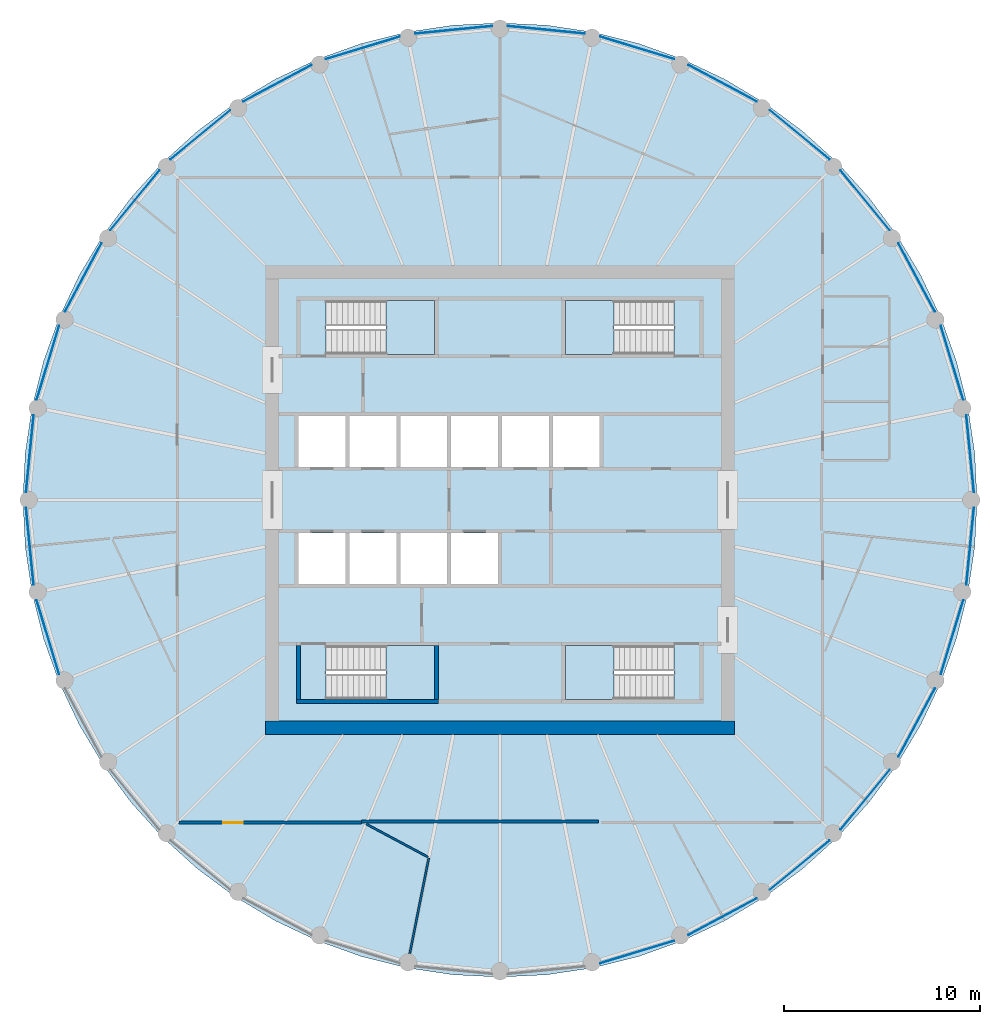
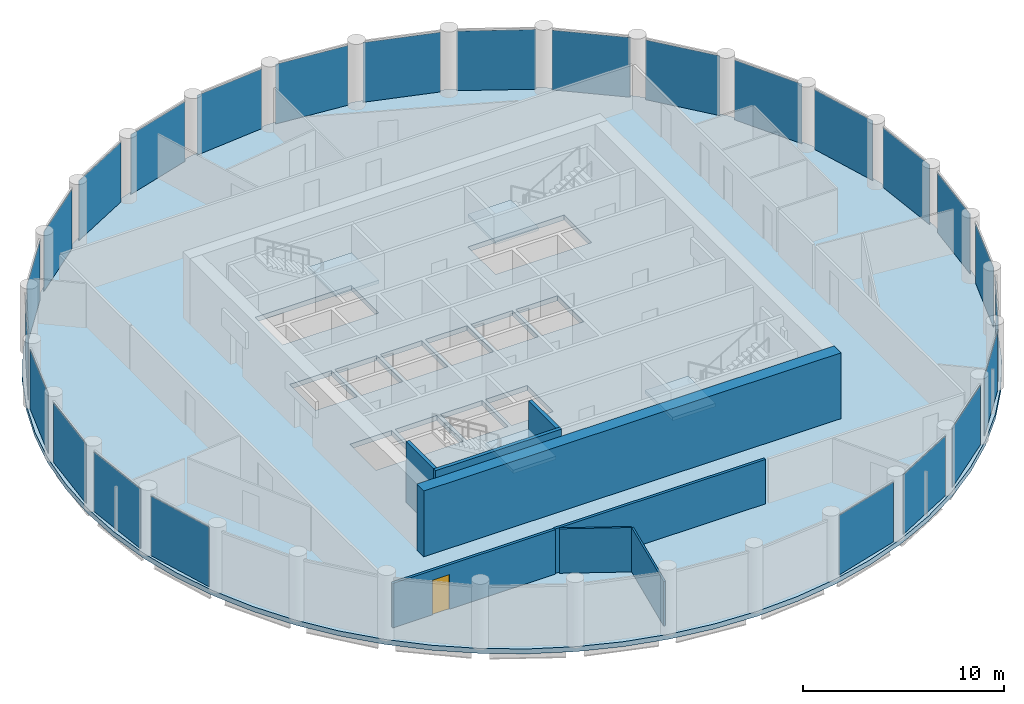
# One storey, part 3 of 7: 25 plates, 8 walls, 5 slabs, 1 door, 1 opening, 29 elements without a shape of their own.
"""IFC4 building model written with IfcOpenShell, lengths in metres."""

from ifc_helpers import new_model, si_unit, direction, frame, frame_2d, origin, origin_2d, place, context, subcontext, project, spatial, polyline, rectangle, outline, extrude, material, layer, layer_set, type_object, element, fill, aggregate, save


model = new_model("IFC4")

# Units and contexts
model_context = context("Model", 3, precision=1e-05, world=origin(), true_north=direction((0.0, 1.0)))
body_context = subcontext(model_context, "Body", "Model", "MODEL_VIEW")
ifc_project = project(units=[si_unit("LENGTHUNIT", "METRE"), si_unit("AREAUNIT", "SQUARE_METRE"), si_unit("VOLUMEUNIT", "CUBIC_METRE"), si_unit("PLANEANGLEUNIT", "RADIAN"), si_unit("MASSUNIT", "GRAM", prefix="KILO")], contexts=[model_context])

# Site, building, storey
site_placement = place(None, origin())
site = spatial("IfcSite", under=ifc_project, at=site_placement, CompositionType="ELEMENT")
building_placement = place(site_placement, origin())
building = spatial("IfcBuilding", under=site, at=building_placement, Name="Corvane Civic Tower", CompositionType="ELEMENT")
storey_placement = place(building_placement, frame((0.0, 0.0, 283.0)))
storey = spatial("IfcBuildingStorey", under=building, at=storey_placement, Name="L67", CompositionType="ELEMENT", Elevation=283.0)

# Slab
ifc_material_1 = material(Name="Concrete C40/50", Category="concrete")
ifc_layer_1 = layer(ifc_material_1, 0.300048828125)
ifc_layer_set_1 = layer_set([ifc_layer_1], Name="Concrete C40/50")
slab_type_1 = type_object("IfcSlabType", Name="FLOOR SLAB 300", PredefinedType="FLOOR", material=ifc_layer_set_1)
slab_1_placement = place(storey_placement, frame((0.0, 0.0, -0.300048828125)))
element("IfcSlab", 1, at=slab_1_placement, inside=storey, type_object=slab_type_1, Name="SLB-L67", PredefinedType="FLOOR", context=body_context, shape_type="SweptSolid", body=[
    extrude(outline(polyline([(0.0, 24.39990234375), (-2.3916015625, 24.282470703125), (-4.76025390625, 23.93115234375), (-7.0830078125, 23.349365234375), (-9.33740234375, 22.542724609375), (-11.502197265625, 21.518798828125), (-13.555908203125, 20.287841796875), (-15.479248046875, 18.861572265625), (-17.25341796875, 17.25341796875), (-18.861572265625, 15.479248046875), (-20.287841796875, 13.555908203125), (-21.518798828125, 11.502197265625), (-22.542724609375, 9.33740234375), (-23.349365234375, 7.0830078125), (-23.93115234375, 4.76025390625), (-24.282470703125, 2.3916015625), (-24.39990234375, 0.0), (-24.282470703125, -2.3916015625), (-23.93115234375, -4.76025390625), (-23.349365234375, -7.0830078125), (-22.542724609375, -9.33740234375), (-21.518798828125, -11.502197265625), (-20.287841796875, -13.555908203125), (-18.861572265625, -15.479248046875), (-17.25341796875, -17.25341796875), (-15.479248046875, -18.861572265625), (-13.555908203125, -20.287841796875), (-11.502197265625, -21.518798828125), (-9.33740234375, -22.542724609375), (-7.0830078125, -23.349365234375), (-4.76025390625, -23.93115234375), (-2.3916015625, -24.282470703125), (0.0, -24.39990234375), (2.3916015625, -24.282470703125), (4.76025390625, -23.93115234375), (7.0830078125, -23.349365234375), (9.33740234375, -22.542724609375), (11.502197265625, -21.518798828125), (13.555908203125, -20.287841796875), (15.479248046875, -18.861572265625), (17.25341796875, -17.25341796875), (18.861572265625, -15.479248046875), (20.287841796875, -13.555908203125), (21.518798828125, -11.502197265625), (22.542724609375, -9.33740234375), (23.349365234375, -7.0830078125), (23.93115234375, -4.76025390625), (24.282470703125, -2.3916015625), (24.39990234375, 0.0), (24.282470703125, 2.3916015625), (23.93115234375, 4.76025390625), (23.349365234375, 7.0830078125), (22.542724609375, 9.33740234375), (21.518798828125, 11.502197265625), (20.287841796875, 13.555908203125), (18.861572265625, 15.479248046875), (17.25341796875, 17.25341796875), (15.479248046875, 18.861572265625), (13.555908203125, 20.287841796875), (11.502197265625, 21.518798828125), (9.33740234375, 22.542724609375), (7.0830078125, 23.349365234375), (4.76025390625, 23.93115234375), (2.3916015625, 24.282470703125), (0.0, 24.39990234375)]), holes=[polyline([(-10.300048828125, 4.300048828125), (-7.89990234375, 4.300048828125), (-7.89990234375, 1.699951171875), (-10.300048828125, 1.699951171875), (-10.300048828125, 4.300048828125)]), polyline([(-7.699951171875, 4.300048828125), (-5.300048828125, 4.300048828125), (-5.300048828125, 1.699951171875), (-7.699951171875, 1.699951171875), (-7.699951171875, 4.300048828125)]), polyline([(-5.10009765625, 4.300048828125), (-2.699951171875, 4.300048828125), (-2.699951171875, 1.699951171875), (-5.10009765625, 1.699951171875), (-5.10009765625, 4.300048828125)]), polyline([(-0.10009765625, 1.699951171875), (-2.5, 1.699951171875), (-2.5, 4.300048828125), (-0.10009765625, 4.300048828125), (-0.10009765625, 1.699951171875)]), polyline([(0.10009765625, 4.300048828125), (2.5, 4.300048828125), (2.5, 1.699951171875), (0.10009765625, 1.699951171875), (0.10009765625, 4.300048828125)]), polyline([(2.699951171875, 4.300048828125), (5.10009765625, 4.300048828125), (5.10009765625, 1.699951171875), (2.699951171875, 1.699951171875), (2.699951171875, 4.300048828125)]), polyline([(-10.300048828125, -4.300048828125), (-10.300048828125, -1.699951171875), (-7.89990234375, -1.699951171875), (-7.89990234375, -4.300048828125), (-10.300048828125, -4.300048828125)]), polyline([(-7.699951171875, -4.300048828125), (-7.699951171875, -1.699951171875), (-5.300048828125, -1.699951171875), (-5.300048828125, -4.300048828125), (-7.699951171875, -4.300048828125)]), polyline([(-5.10009765625, -4.300048828125), (-5.10009765625, -1.699951171875), (-2.699951171875, -1.699951171875), (-2.699951171875, -4.300048828125), (-5.10009765625, -4.300048828125)]), polyline([(-0.10009765625, -1.699951171875), (-0.10009765625, -4.300048828125), (-2.5, -4.300048828125), (-2.5, -1.699951171875), (-0.10009765625, -1.699951171875)]), polyline([(8.889892578125, 10.199951171875), (8.889892578125, 7.449951171875), (3.35009765625, 7.449951171875), (3.35009765625, 10.199951171875), (8.889892578125, 10.199951171875)]), polyline([(-8.889892578125, 7.449951171875), (-8.889892578125, 10.199951171875), (-3.35009765625, 10.199951171875), (-3.35009765625, 7.449951171875), (-8.889892578125, 7.449951171875)]), polyline([(8.889892578125, -7.449951171875), (8.889892578125, -10.199951171875), (3.35009765625, -10.199951171875), (3.35009765625, -7.449951171875), (8.889892578125, -7.449951171875)]), polyline([(-8.889892578125, -10.199951171875), (-8.889892578125, -7.449951171875), (-3.35009765625, -7.449951171875), (-3.35009765625, -10.199951171875), (-8.889892578125, -10.199951171875)])]), origin(), (0.0, 0.0, 1.0), 0.300048828125),
])

# Stair, slab
ifc_material_2 = material(Name="Concrete C40/50", Category="concrete")
stair_type = type_object("IfcStairType", Name="ST-STAIR-HALFTURN", PredefinedType="HALF_TURN_STAIR", material=ifc_material_2)
stair_1_placement = place(storey_placement, origin())
stair_1 = element("IfcStair", 2, at=stair_1_placement, inside=storey, type_object=stair_type, Name="L67 Exit stair ST1", PredefinedType="HALF_TURN_STAIR")
ifc_material_3 = material(Name="Concrete C40/50", Category="concrete")
ifc_layer_2 = layer(ifc_material_3, 0.199951171875)
ifc_layer_set_2 = layer_set([ifc_layer_2], Name="Concrete C40/50")
slab_type_2 = type_object("IfcSlabType", Name="ST-LANDING-RC", PredefinedType="LANDING", material=ifc_layer_set_2)
slab_2_placement = place(storey_placement, frame((0.0, 0.0, 1.800048828125)))
slab_2 = element("IfcSlab", 3, at=slab_2_placement, type_object=slab_type_2, Name="ST1 landing 1", PredefinedType="LANDING", context=body_context, shape_type="SweptSolid", body=[
    extrude(outline(polyline([(5.820068359375, 10.199951171875), (3.35009765625, 10.199951171875), (3.35009765625, 7.449951171875), (5.820068359375, 7.449951171875), (5.820068359375, 10.199951171875)])), origin(), (0.0, 0.0, 1.0), 0.199951171875),
])
aggregate(stair_1, [slab_2])

stair_2_placement = place(storey_placement, origin())
stair_2 = element("IfcStair", 4, at=stair_2_placement, inside=storey, type_object=stair_type, Name="L67 Exit stair ST2", PredefinedType="HALF_TURN_STAIR")
slab_3_placement = place(storey_placement, frame((0.0, 0.0, 1.800048828125)))
slab_3 = element("IfcSlab", 5, at=slab_3_placement, type_object=slab_type_2, Name="ST2 landing 1", PredefinedType="LANDING", context=body_context, shape_type="SweptSolid", body=[
    extrude(outline(polyline([(5.820068359375, -7.449951171875), (3.35009765625, -7.449951171875), (3.35009765625, -10.199951171875), (5.820068359375, -10.199951171875), (5.820068359375, -7.449951171875)])), origin(), (0.0, 0.0, 1.0), 0.199951171875),
])
aggregate(stair_2, [slab_3])

stair_3_placement = place(storey_placement, origin())
stair_3 = element("IfcStair", 6, at=stair_3_placement, inside=storey, type_object=stair_type, Name="L67 Exit stair ST3", PredefinedType="HALF_TURN_STAIR")
slab_4_placement = place(storey_placement, frame((0.0, 0.0, 1.800048828125)))
slab_4 = element("IfcSlab", 7, at=slab_4_placement, type_object=slab_type_2, Name="ST3 landing 1", PredefinedType="LANDING", context=body_context, shape_type="SweptSolid", body=[
    extrude(outline(polyline([(-5.820068359375, -10.199951171875), (-3.35009765625, -10.199951171875), (-3.35009765625, -7.449951171875), (-5.820068359375, -7.449951171875), (-5.820068359375, -10.199951171875)])), origin(), (0.0, 0.0, 1.0), 0.199951171875),
])
aggregate(stair_3, [slab_4])

stair_4_placement = place(storey_placement, origin())
stair_4 = element("IfcStair", 8, at=stair_4_placement, inside=storey, type_object=stair_type, Name="L67 Exit stair ST4", PredefinedType="HALF_TURN_STAIR")
slab_5_placement = place(storey_placement, frame((0.0, 0.0, 1.800048828125)))
slab_5 = element("IfcSlab", 9, at=slab_5_placement, type_object=slab_type_2, Name="ST4 landing 1", PredefinedType="LANDING", context=body_context, shape_type="SweptSolid", body=[
    extrude(outline(polyline([(-5.820068359375, 7.449951171875), (-3.35009765625, 7.449951171875), (-3.35009765625, 10.199951171875), (-5.820068359375, 10.199951171875), (-5.820068359375, 7.449951171875)])), origin(), (0.0, 0.0, 1.0), 0.199951171875),
])
aggregate(stair_4, [slab_5])

# Curtain wall, plate
ifc_material_4 = material(Name="Anodised aluminium bronze", Category="aluminium")
curtain_wall_type = type_object("IfcCurtainWallType", Name="TOWER CW-T3 STICK CURTAIN WALL", PredefinedType="NOTDEFINED", material=ifc_material_4)
curtain_wall_1_placement = place(storey_placement, origin())
curtain_wall_1 = element("IfcCurtainWall", 10, at=curtain_wall_1_placement, inside=storey, type_object=curtain_wall_type, Name="Curtain wall CW-T3 L67 bay 01", PredefinedType="NOTDEFINED")
ifc_material_5 = material(Name="Tinted glass", Category="glass")
ifc_layer_3 = layer(ifc_material_5, 0.028076171875)
ifc_layer_set_3 = layer_set([ifc_layer_3], Name="Tinted glass")
plate_type = type_object("IfcPlateType", Name="TOWER CW-T3 PANEL IGU28", PredefinedType="CURTAIN_PANEL", material=ifc_layer_set_3)
plate_1_placement = place(storey_placement, frame((2.368408203125, 24.046875, 0.0), z_axis=(0.0, 0.0, 1.0), x_axis=(0.99518437747, -0.098020685775, 0.0)))
plate_1 = element("IfcPlate", 11, at=plate_1_placement, type_object=plate_type, Name="Glass panel CW-T3 L67 01.1", PredefinedType="CURTAIN_PANEL", context=body_context, shape_type="SweptSolid", body=[
    extrude(rectangle(XDim=3.958740234375, YDim=0.028076171875, at=origin_2d()), origin(), (0.0, 0.0, 1.0), 3.6298828125),
])
aggregate(curtain_wall_1, [plate_1])

curtain_wall_2_placement = place(storey_placement, origin())
curtain_wall_2 = element("IfcCurtainWall", 12, at=curtain_wall_2_placement, inside=storey, type_object=curtain_wall_type, Name="Curtain wall CW-T3 L67 bay 02", PredefinedType="NOTDEFINED")
plate_2_placement = place(storey_placement, frame((7.01416015625, 23.12255859375, 0.0), z_axis=(0.0, 0.0, 1.0), x_axis=(0.956943694519, -0.290273604586, 0.0)))
plate_2 = element("IfcPlate", 13, at=plate_2_placement, type_object=plate_type, Name="Glass panel CW-T3 L67 02.1", PredefinedType="CURTAIN_PANEL", context=body_context, shape_type="SweptSolid", body=[
    extrude(rectangle(XDim=3.958984375, YDim=0.028076171875, at=origin_2d()), origin(), (0.0, 0.0, 1.0), 3.6298828125),
])
aggregate(curtain_wall_2, [plate_2])

curtain_wall_3_placement = place(storey_placement, origin())
curtain_wall_3 = element("IfcCurtainWall", 14, at=curtain_wall_3_placement, inside=storey, type_object=curtain_wall_type, Name="Curtain wall CW-T3 L67 bay 03", PredefinedType="NOTDEFINED")
plate_3_placement = place(storey_placement, frame((11.390380859375, 21.31005859375, 0.0), z_axis=(0.0, 0.0, 1.0), x_axis=(0.881908138655, -0.471421292448, 0.0)))
plate_3 = element("IfcPlate", 15, at=plate_3_placement, type_object=plate_type, Name="Glass panel CW-T3 L67 03.1", PredefinedType="CURTAIN_PANEL", context=body_context, shape_type="SweptSolid", body=[
    extrude(rectangle(XDim=3.958740234375, YDim=0.028076171875, at=origin_2d()), origin(), (0.0, 0.0, 1.0), 3.6298828125),
])
aggregate(curtain_wall_3, [plate_3])

curtain_wall_4_placement = place(storey_placement, origin())
curtain_wall_4 = element("IfcCurtainWall", 16, at=curtain_wall_4_placement, inside=storey, type_object=curtain_wall_type, Name="Curtain wall CW-T3 L67 bay 04", PredefinedType="NOTDEFINED")
plate_4_placement = place(storey_placement, frame((15.328857421875, 18.67822265625, 0.0), z_axis=(0.0, 0.0, 1.0), x_axis=(0.773001130565, -0.634404643855, 0.0)))
plate_4 = element("IfcPlate", 17, at=plate_4_placement, type_object=plate_type, Name="Glass panel CW-T3 L67 04.1", PredefinedType="CURTAIN_PANEL", context=body_context, shape_type="SweptSolid", body=[
    extrude(rectangle(XDim=3.958740234375, YDim=0.028076171875, at=origin_2d()), origin(), (0.0, 0.0, 1.0), 3.6298828125),
])
aggregate(curtain_wall_4, [plate_4])

curtain_wall_5_placement = place(storey_placement, origin())
curtain_wall_5 = element("IfcCurtainWall", 18, at=curtain_wall_5_placement, inside=storey, type_object=curtain_wall_type, Name="Curtain wall CW-T3 L67 bay 05", PredefinedType="NOTDEFINED")
plate_5_placement = place(storey_placement, frame((18.67822265625, 15.328857421875, 0.0), z_axis=(0.0, 0.0, 1.0), x_axis=(0.634404643855, -0.773001130565, 0.0)))
plate_5 = element("IfcPlate", 19, at=plate_5_placement, type_object=plate_type, Name="Glass panel CW-T3 L67 05.1", PredefinedType="CURTAIN_PANEL", context=body_context, shape_type="SweptSolid", body=[
    extrude(rectangle(XDim=3.958740234375, YDim=0.028076171875, at=origin_2d()), origin(), (0.0, 0.0, 1.0), 3.6298828125),
])
aggregate(curtain_wall_5, [plate_5])

curtain_wall_6_placement = place(storey_placement, origin())
curtain_wall_6 = element("IfcCurtainWall", 20, at=curtain_wall_6_placement, inside=storey, type_object=curtain_wall_type, Name="Curtain wall CW-T3 L67 bay 06", PredefinedType="NOTDEFINED")
plate_6_placement = place(storey_placement, frame((21.31005859375, 11.390380859375, 0.0), z_axis=(0.0, 0.0, 1.0), x_axis=(0.471421292448, -0.881908138655, 0.0)))
plate_6 = element("IfcPlate", 21, at=plate_6_placement, type_object=plate_type, Name="Glass panel CW-T3 L67 06.1", PredefinedType="CURTAIN_PANEL", context=body_context, shape_type="SweptSolid", body=[
    extrude(rectangle(XDim=3.958740234375, YDim=0.028076171875, at=origin_2d()), origin(), (0.0, 0.0, 1.0), 3.6298828125),
])
aggregate(curtain_wall_6, [plate_6])

curtain_wall_7_placement = place(storey_placement, origin())
curtain_wall_7 = element("IfcCurtainWall", 22, at=curtain_wall_7_placement, inside=storey, type_object=curtain_wall_type, Name="Curtain wall CW-T3 L67 bay 07", PredefinedType="NOTDEFINED")
plate_7_placement = place(storey_placement, frame((23.12255859375, 7.01416015625, 0.0), z_axis=(0.0, 0.0, 1.0), x_axis=(0.290273604586, -0.956943694519, 0.0)))
plate_7 = element("IfcPlate", 23, at=plate_7_placement, type_object=plate_type, Name="Glass panel CW-T3 L67 07.1", PredefinedType="CURTAIN_PANEL", context=body_context, shape_type="SweptSolid", body=[
    extrude(rectangle(XDim=3.958984375, YDim=0.028076171875, at=origin_2d()), origin(), (0.0, 0.0, 1.0), 3.6298828125),
])
aggregate(curtain_wall_7, [plate_7])

curtain_wall_8_placement = place(storey_placement, origin())
curtain_wall_8 = element("IfcCurtainWall", 24, at=curtain_wall_8_placement, inside=storey, type_object=curtain_wall_type, Name="Curtain wall CW-T3 L67 bay 08", PredefinedType="NOTDEFINED")
plate_8_placement = place(storey_placement, frame((24.046875, 2.368408203125, 0.0), z_axis=(0.0, 0.0, 1.0), x_axis=(0.098020685775, -0.99518437747, 0.0)))
plate_8 = element("IfcPlate", 25, at=plate_8_placement, type_object=plate_type, Name="Glass panel CW-T3 L67 08.1", PredefinedType="CURTAIN_PANEL", context=body_context, shape_type="SweptSolid", body=[
    extrude(rectangle(XDim=3.958740234375, YDim=0.028076171875, at=origin_2d()), origin(), (0.0, 0.0, 1.0), 3.6298828125),
])
aggregate(curtain_wall_8, [plate_8])

curtain_wall_9_placement = place(storey_placement, origin())
curtain_wall_9 = element("IfcCurtainWall", 26, at=curtain_wall_9_placement, inside=storey, type_object=curtain_wall_type, Name="Curtain wall CW-T3 L67 bay 09", PredefinedType="NOTDEFINED")
plate_9_placement = place(storey_placement, frame((24.046875, -2.368408203125, 0.0), z_axis=(0.0, 0.0, 1.0), x_axis=(-0.098020685775, -0.99518437747, 0.0)))
plate_9 = element("IfcPlate", 27, at=plate_9_placement, type_object=plate_type, Name="Glass panel CW-T3 L67 09.1", PredefinedType="CURTAIN_PANEL", context=body_context, shape_type="SweptSolid", body=[
    extrude(rectangle(XDim=3.958740234375, YDim=0.028076171875, at=origin_2d()), origin(), (0.0, 0.0, 1.0), 3.6298828125),
])
aggregate(curtain_wall_9, [plate_9])

curtain_wall_10_placement = place(storey_placement, origin())
curtain_wall_10 = element("IfcCurtainWall", 28, at=curtain_wall_10_placement, inside=storey, type_object=curtain_wall_type, Name="Curtain wall CW-T3 L67 bay 10", PredefinedType="NOTDEFINED")
plate_10_placement = place(storey_placement, frame((23.12255859375, -7.01416015625, 0.0), z_axis=(0.0, 0.0, 1.0), x_axis=(-0.290273604586, -0.956943694519, 0.0)))
plate_10 = element("IfcPlate", 29, at=plate_10_placement, type_object=plate_type, Name="Glass panel CW-T3 L67 10.1", PredefinedType="CURTAIN_PANEL", context=body_context, shape_type="SweptSolid", body=[
    extrude(rectangle(XDim=3.958984375, YDim=0.028076171875, at=origin_2d()), origin(), (0.0, 0.0, 1.0), 3.6298828125),
])
aggregate(curtain_wall_10, [plate_10])

curtain_wall_11_placement = place(storey_placement, origin())
curtain_wall_11 = element("IfcCurtainWall", 30, at=curtain_wall_11_placement, inside=storey, type_object=curtain_wall_type, Name="Curtain wall CW-T3 L67 bay 11", PredefinedType="NOTDEFINED")
plate_11_placement = place(storey_placement, frame((21.31005859375, -11.390380859375, 0.0), z_axis=(0.0, 0.0, 1.0), x_axis=(-0.471421292448, -0.881908138655, 0.0)))
plate_11 = element("IfcPlate", 31, at=plate_11_placement, type_object=plate_type, Name="Glass panel CW-T3 L67 11.1", PredefinedType="CURTAIN_PANEL", context=body_context, shape_type="SweptSolid", body=[
    extrude(rectangle(XDim=3.958740234375, YDim=0.028076171875, at=origin_2d()), origin(), (0.0, 0.0, 1.0), 3.6298828125),
])
aggregate(curtain_wall_11, [plate_11])

curtain_wall_12_placement = place(storey_placement, origin())
curtain_wall_12 = element("IfcCurtainWall", 32, at=curtain_wall_12_placement, inside=storey, type_object=curtain_wall_type, Name="Curtain wall CW-T3 L67 bay 12", PredefinedType="NOTDEFINED")
plate_12_placement = place(storey_placement, frame((18.67822265625, -15.328857421875, 0.0), z_axis=(0.0, 0.0, 1.0), x_axis=(-0.634404643855, -0.773001130565, 0.0)))
plate_12 = element("IfcPlate", 33, at=plate_12_placement, type_object=plate_type, Name="Glass panel CW-T3 L67 12.1", PredefinedType="CURTAIN_PANEL", context=body_context, shape_type="SweptSolid", body=[
    extrude(rectangle(XDim=3.958740234375, YDim=0.028076171875, at=origin_2d()), origin(), (0.0, 0.0, 1.0), 3.6298828125),
])
aggregate(curtain_wall_12, [plate_12])

curtain_wall_13_placement = place(storey_placement, origin())
curtain_wall_13 = element("IfcCurtainWall", 34, at=curtain_wall_13_placement, inside=storey, type_object=curtain_wall_type, Name="Curtain wall CW-T3 L67 bay 13", PredefinedType="NOTDEFINED")
plate_13_placement = place(storey_placement, frame((15.328857421875, -18.67822265625, 0.0), z_axis=(0.0, 0.0, 1.0), x_axis=(-0.773001130565, -0.634404643855, 0.0)))
plate_13 = element("IfcPlate", 35, at=plate_13_placement, type_object=plate_type, Name="Glass panel CW-T3 L67 13.1", PredefinedType="CURTAIN_PANEL", context=body_context, shape_type="SweptSolid", body=[
    extrude(rectangle(XDim=3.958740234375, YDim=0.028076171875, at=origin_2d()), origin(), (0.0, 0.0, 1.0), 3.6298828125),
])
aggregate(curtain_wall_13, [plate_13])

curtain_wall_14_placement = place(storey_placement, origin())
curtain_wall_14 = element("IfcCurtainWall", 36, at=curtain_wall_14_placement, inside=storey, type_object=curtain_wall_type, Name="Curtain wall CW-T3 L67 bay 14", PredefinedType="NOTDEFINED")
plate_14_placement = place(storey_placement, frame((11.390380859375, -21.31005859375, 0.0), z_axis=(0.0, 0.0, 1.0), x_axis=(-0.881908138655, -0.471421292448, 0.0)))
plate_14 = element("IfcPlate", 37, at=plate_14_placement, type_object=plate_type, Name="Glass panel CW-T3 L67 14.1", PredefinedType="CURTAIN_PANEL", context=body_context, shape_type="SweptSolid", body=[
    extrude(rectangle(XDim=3.958740234375, YDim=0.028076171875, at=origin_2d()), origin(), (0.0, 0.0, 1.0), 3.6298828125),
])
aggregate(curtain_wall_14, [plate_14])

curtain_wall_15_placement = place(storey_placement, origin())
curtain_wall_15 = element("IfcCurtainWall", 38, at=curtain_wall_15_placement, inside=storey, type_object=curtain_wall_type, Name="Curtain wall CW-T3 L67 bay 15", PredefinedType="NOTDEFINED")
plate_15_placement = place(storey_placement, frame((7.01416015625, -23.12255859375, 0.0), z_axis=(0.0, 0.0, 1.0), x_axis=(-0.956943694519, -0.290273604586, 0.0)))
plate_15 = element("IfcPlate", 39, at=plate_15_placement, type_object=plate_type, Name="Glass panel CW-T3 L67 15.1", PredefinedType="CURTAIN_PANEL", context=body_context, shape_type="SweptSolid", body=[
    extrude(rectangle(XDim=3.958984375, YDim=0.028076171875, at=origin_2d()), origin(), (0.0, 0.0, 1.0), 3.6298828125),
])
aggregate(curtain_wall_15, [plate_15])

curtain_wall_16_placement = place(storey_placement, origin())
curtain_wall_16 = element("IfcCurtainWall", 40, at=curtain_wall_16_placement, inside=storey, type_object=curtain_wall_type, Name="Curtain wall CW-T3 L67 bay 23", PredefinedType="NOTDEFINED")
plate_16_placement = place(storey_placement, frame((-23.12255859375, -7.01416015625, 0.0), z_axis=(0.0, 0.0, 1.0), x_axis=(-0.290273604586, 0.956943694519, 0.0)))
plate_16 = element("IfcPlate", 41, at=plate_16_placement, type_object=plate_type, Name="Glass panel CW-T3 L67 23.1", PredefinedType="CURTAIN_PANEL", context=body_context, shape_type="SweptSolid", body=[
    extrude(rectangle(XDim=3.958984375, YDim=0.028076171875, at=origin_2d()), origin(), (0.0, 0.0, 1.0), 3.6298828125),
])
aggregate(curtain_wall_16, [plate_16])

curtain_wall_17_placement = place(storey_placement, origin())
curtain_wall_17 = element("IfcCurtainWall", 42, at=curtain_wall_17_placement, inside=storey, type_object=curtain_wall_type, Name="Curtain wall CW-T3 L67 bay 24", PredefinedType="NOTDEFINED")
plate_17_placement = place(storey_placement, frame((-24.046875, -2.368408203125, 0.0), z_axis=(0.0, 0.0, 1.0), x_axis=(-0.098020685775, 0.99518437747, 0.0)))
plate_17 = element("IfcPlate", 43, at=plate_17_placement, type_object=plate_type, Name="Glass panel CW-T3 L67 24.1", PredefinedType="CURTAIN_PANEL", context=body_context, shape_type="SweptSolid", body=[
    extrude(rectangle(XDim=3.958740234375, YDim=0.028076171875, at=origin_2d()), origin(), (0.0, 0.0, 1.0), 3.6298828125),
])
aggregate(curtain_wall_17, [plate_17])

curtain_wall_18_placement = place(storey_placement, origin())
curtain_wall_18 = element("IfcCurtainWall", 44, at=curtain_wall_18_placement, inside=storey, type_object=curtain_wall_type, Name="Curtain wall CW-T3 L67 bay 25", PredefinedType="NOTDEFINED")
plate_18_placement = place(storey_placement, frame((-24.046875, 2.368408203125, 0.0), z_axis=(0.0, 0.0, 1.0), x_axis=(0.098020685775, 0.99518437747, 0.0)))
plate_18 = element("IfcPlate", 45, at=plate_18_placement, type_object=plate_type, Name="Glass panel CW-T3 L67 25.1", PredefinedType="CURTAIN_PANEL", context=body_context, shape_type="SweptSolid", body=[
    extrude(rectangle(XDim=3.958740234375, YDim=0.028076171875, at=origin_2d()), origin(), (0.0, 0.0, 1.0), 3.6298828125),
])
aggregate(curtain_wall_18, [plate_18])

curtain_wall_19_placement = place(storey_placement, origin())
curtain_wall_19 = element("IfcCurtainWall", 46, at=curtain_wall_19_placement, inside=storey, type_object=curtain_wall_type, Name="Curtain wall CW-T3 L67 bay 26", PredefinedType="NOTDEFINED")
plate_19_placement = place(storey_placement, frame((-23.12255859375, 7.01416015625, 0.0), z_axis=(0.0, 0.0, 1.0), x_axis=(0.290273604586, 0.956943694519, 0.0)))
plate_19 = element("IfcPlate", 47, at=plate_19_placement, type_object=plate_type, Name="Glass panel CW-T3 L67 26.1", PredefinedType="CURTAIN_PANEL", context=body_context, shape_type="SweptSolid", body=[
    extrude(rectangle(XDim=3.958984375, YDim=0.028076171875, at=origin_2d()), origin(), (0.0, 0.0, 1.0), 3.6298828125),
])
aggregate(curtain_wall_19, [plate_19])

curtain_wall_20_placement = place(storey_placement, origin())
curtain_wall_20 = element("IfcCurtainWall", 48, at=curtain_wall_20_placement, inside=storey, type_object=curtain_wall_type, Name="Curtain wall CW-T3 L67 bay 27", PredefinedType="NOTDEFINED")
plate_20_placement = place(storey_placement, frame((-21.31005859375, 11.390380859375, 0.0), z_axis=(0.0, 0.0, 1.0), x_axis=(0.471421292448, 0.881908138655, 0.0)))
plate_20 = element("IfcPlate", 49, at=plate_20_placement, type_object=plate_type, Name="Glass panel CW-T3 L67 27.1", PredefinedType="CURTAIN_PANEL", context=body_context, shape_type="SweptSolid", body=[
    extrude(rectangle(XDim=3.958740234375, YDim=0.028076171875, at=origin_2d()), origin(), (0.0, 0.0, 1.0), 3.6298828125),
])
aggregate(curtain_wall_20, [plate_20])

curtain_wall_21_placement = place(storey_placement, origin())
curtain_wall_21 = element("IfcCurtainWall", 50, at=curtain_wall_21_placement, inside=storey, type_object=curtain_wall_type, Name="Curtain wall CW-T3 L67 bay 28", PredefinedType="NOTDEFINED")
plate_21_placement = place(storey_placement, frame((-18.67822265625, 15.328857421875, 0.0), z_axis=(0.0, 0.0, 1.0), x_axis=(0.634404643855, 0.773001130565, 0.0)))
plate_21 = element("IfcPlate", 51, at=plate_21_placement, type_object=plate_type, Name="Glass panel CW-T3 L67 28.1", PredefinedType="CURTAIN_PANEL", context=body_context, shape_type="SweptSolid", body=[
    extrude(rectangle(XDim=3.958740234375, YDim=0.028076171875, at=origin_2d()), origin(), (0.0, 0.0, 1.0), 3.6298828125),
])
aggregate(curtain_wall_21, [plate_21])

curtain_wall_22_placement = place(storey_placement, origin())
curtain_wall_22 = element("IfcCurtainWall", 52, at=curtain_wall_22_placement, inside=storey, type_object=curtain_wall_type, Name="Curtain wall CW-T3 L67 bay 29", PredefinedType="NOTDEFINED")
plate_22_placement = place(storey_placement, frame((-15.328857421875, 18.67822265625, 0.0), z_axis=(0.0, 0.0, 1.0), x_axis=(0.773001130565, 0.634404643855, 0.0)))
plate_22 = element("IfcPlate", 53, at=plate_22_placement, type_object=plate_type, Name="Glass panel CW-T3 L67 29.1", PredefinedType="CURTAIN_PANEL", context=body_context, shape_type="SweptSolid", body=[
    extrude(rectangle(XDim=3.958740234375, YDim=0.028076171875, at=origin_2d()), origin(), (0.0, 0.0, 1.0), 3.6298828125),
])
aggregate(curtain_wall_22, [plate_22])

curtain_wall_23_placement = place(storey_placement, origin())
curtain_wall_23 = element("IfcCurtainWall", 54, at=curtain_wall_23_placement, inside=storey, type_object=curtain_wall_type, Name="Curtain wall CW-T3 L67 bay 30", PredefinedType="NOTDEFINED")
plate_23_placement = place(storey_placement, frame((-11.390380859375, 21.31005859375, 0.0), z_axis=(0.0, 0.0, 1.0), x_axis=(0.881908138655, 0.471421292448, 0.0)))
plate_23 = element("IfcPlate", 55, at=plate_23_placement, type_object=plate_type, Name="Glass panel CW-T3 L67 30.1", PredefinedType="CURTAIN_PANEL", context=body_context, shape_type="SweptSolid", body=[
    extrude(rectangle(XDim=3.958740234375, YDim=0.028076171875, at=origin_2d()), origin(), (0.0, 0.0, 1.0), 3.6298828125),
])
aggregate(curtain_wall_23, [plate_23])

curtain_wall_24_placement = place(storey_placement, origin())
curtain_wall_24 = element("IfcCurtainWall", 56, at=curtain_wall_24_placement, inside=storey, type_object=curtain_wall_type, Name="Curtain wall CW-T3 L67 bay 31", PredefinedType="NOTDEFINED")
plate_24_placement = place(storey_placement, frame((-7.01416015625, 23.12255859375, 0.0), z_axis=(0.0, 0.0, 1.0), x_axis=(0.956943694519, 0.290273604586, 0.0)))
plate_24 = element("IfcPlate", 57, at=plate_24_placement, type_object=plate_type, Name="Glass panel CW-T3 L67 31.1", PredefinedType="CURTAIN_PANEL", context=body_context, shape_type="SweptSolid", body=[
    extrude(rectangle(XDim=3.958984375, YDim=0.028076171875, at=origin_2d()), origin(), (0.0, 0.0, 1.0), 3.6298828125),
])
aggregate(curtain_wall_24, [plate_24])

curtain_wall_25_placement = place(storey_placement, origin())
curtain_wall_25 = element("IfcCurtainWall", 58, at=curtain_wall_25_placement, inside=storey, type_object=curtain_wall_type, Name="Curtain wall CW-T3 L67 bay 32", PredefinedType="NOTDEFINED")
plate_25_placement = place(storey_placement, frame((-2.368408203125, 24.046875, 0.0), z_axis=(0.0, 0.0, 1.0), x_axis=(0.99518437747, 0.098020685775, 0.0)))
plate_25 = element("IfcPlate", 59, at=plate_25_placement, type_object=plate_type, Name="Glass panel CW-T3 L67 32.1", PredefinedType="CURTAIN_PANEL", context=body_context, shape_type="SweptSolid", body=[
    extrude(rectangle(XDim=3.958740234375, YDim=0.028076171875, at=origin_2d()), origin(), (0.0, 0.0, 1.0), 3.6298828125),
])
aggregate(curtain_wall_25, [plate_25])

# Walls
ifc_material_6 = material(Name="Concrete C40/50", Category="concrete")
ifc_layer_4 = layer(ifc_material_6, 0.699951171875)
ifc_layer_set_4 = layer_set([ifc_layer_4], Name="Concrete C40/50")
wall_type_1 = type_object("IfcWallType", Name="CORE WALL 700 C40/50", PredefinedType="SHEAR", material=ifc_layer_set_4)
wall_1_placement = place(storey_placement, frame((-12.0, -11.64990234375, 0.0), z_axis=(0.0, 0.0, 1.0), x_axis=(1.0, 0.0, 0.0)))
element("IfcWall", 60, at=wall_1_placement, inside=storey, type_object=wall_type_1, Name="W-L67-core-S", PredefinedType="SHEAR", context=body_context, shape_type="SweptSolid", body=[
    extrude(rectangle(XDim=24.0, YDim=0.699951171875, at=frame_2d((12.0, 0.0))), origin(), (0.0, 0.0, 1.0), 4.0),
])
ifc_material_7 = material(Name="Plasterboard")
ifc_layer_5 = layer(ifc_material_7, 0.10009765625)
ifc_layer_set_5 = layer_set([ifc_layer_5], Name="Plasterboard")
wall_type_2 = type_object("IfcWallType", Name="Partition 100 plasterboard on studs", PredefinedType="PARTITIONING", material=ifc_layer_set_5)
wall_2_placement = place(storey_placement, frame((-4.61181640625, -23.185791015625, 0.0), z_axis=(0.0, 0.0, 1.0), x_axis=(0.195084165783, 0.980786504934, 0.0)))
element("IfcWall", 61, at=wall_2_placement, inside=storey, type_object=wall_type_2, Name="Partition L67.001", PredefinedType="PARTITIONING", context=body_context, shape_type="SweptSolid", body=[
    extrude(rectangle(XDim=4.95947265625, YDim=0.10009765625, at=frame_2d((2.479736328125, 0.0))), origin(), (0.0, 0.0, 1.0), 2.699951171875),
])
wall_3_placement = place(storey_placement, frame((-6.84765625, -16.569091796875, 0.0), z_axis=(0.0, 0.0, 1.0), x_axis=(0.881926812046, -0.471386357668, 0.0)))
element("IfcWall", 62, at=wall_3_placement, inside=storey, type_object=wall_type_2, Name="Partition L67.003", PredefinedType="PARTITIONING", context=body_context, shape_type="SweptSolid", body=[
    extrude(rectangle(XDim=3.603271484375, YDim=0.10009765625, at=frame_2d((1.8017578125, 0.0))), origin(), (0.0, 0.0, 1.0), 2.699951171875),
])
ifc_material_8 = material(Name="Concrete C50/60", Category="concrete")
ifc_layer_6 = layer(ifc_material_8, 0.199951171875)
ifc_layer_set_6 = layer_set([ifc_layer_6], Name="Concrete C50/60")
wall_type_3 = type_object("IfcWallType", Name="ST-WALL-200", PredefinedType="SHEAR", material=ifc_layer_set_6)
wall_4_placement = place(storey_placement, origin())
element("IfcWall", 63, at=wall_4_placement, inside=storey, type_object=wall_type_3, Name="L67 stair enclosure wall", PredefinedType="SHEAR", context=body_context, shape_type="SweptSolid", body=[
    extrude(outline(polyline([(-3.14990234375, -10.199951171875), (-3.14990234375, -10.39990234375), (-10.39990234375, -10.39990234375), (-10.39990234375, -10.199951171875), (-3.14990234375, -10.199951171875)])), origin(), (0.0, 0.0, 1.0), 3.699951171875),
])
wall_5_placement = place(storey_placement, origin())
element("IfcWall", 64, at=wall_5_placement, inside=storey, type_object=wall_type_3, Name="L67 stair enclosure wall", PredefinedType="SHEAR", context=body_context, shape_type="SweptSolid", body=[
    extrude(outline(polyline([(-3.14990234375, -7.449951171875), (-3.14990234375, -10.199951171875), (-3.35009765625, -10.199951171875), (-3.35009765625, -7.449951171875), (-3.14990234375, -7.449951171875)])), origin(), (0.0, 0.0, 1.0), 3.699951171875),
])
wall_6_placement = place(storey_placement, origin())
element("IfcWall", 65, at=wall_6_placement, inside=storey, type_object=wall_type_3, Name="L67 stair enclosure wall", PredefinedType="SHEAR", context=body_context, shape_type="SweptSolid", body=[
    extrude(outline(polyline([(-10.199951171875, -7.449951171875), (-10.199951171875, -10.199951171875), (-10.39990234375, -10.199951171875), (-10.39990234375, -7.449951171875), (-10.199951171875, -7.449951171875)])), origin(), (0.0, 0.0, 1.0), 3.699951171875),
])

# Wall, opening, door
ifc_material_9 = material(Name="Plasterboard")
ifc_layer_7 = layer(ifc_material_9, 0.14990234375)
ifc_layer_set_7 = layer_set([ifc_layer_7], Name="Plasterboard")
wall_type_4 = type_object("IfcWallType", Name="Tenancy wall 150 EI 60", PredefinedType="PARTITIONING", material=ifc_layer_set_7)
wall_7_placement = place(storey_placement, frame((-16.425048828125, -16.5, 0.0), z_axis=(0.0, 0.0, 1.0), x_axis=(1.0, 0.0, 0.0)))
wall_7 = element("IfcWall", 66, at=wall_7_placement, inside=storey, type_object=wall_type_4, Name="Partition L67.004", PredefinedType="PARTITIONING", context=body_context, shape_type="SweptSolid", body=[
    extrude(rectangle(XDim=9.3544921875, YDim=0.14990234375, at=frame_2d((4.67724609375, 0.0))), origin(), (0.0, 0.0, 1.0), 2.699951171875),
])
opening_placement = place(wall_7_placement, frame((2.274658203125, 0.0, 0.0)))
opening = element("IfcOpeningElement", 67, at=opening_placement, cuts=wall_7, Name="Opening L67.009", PredefinedType="OPENING", context=body_context, shape_type="SweptSolid", body=[
    extrude(rectangle(XDim=1.0, YDim=2.10009765625, at=frame_2d((0.5, 1.050048828125))), frame((0.0, 0.0849609375, 0.0), z_axis=(0.0, -1.0, 0.0), x_axis=(1.0, 0.0, 0.0)), (0.0, 0.0, 1.0), 0.169921875),
])
ifc_material_10 = material(Name="Steel and timber", Category="steel")
door_type = type_object("IfcDoorType", Name="Fire door FD30S 1000", OperationType="NOTDEFINED", PredefinedType="DOOR", material=ifc_material_10)
door_placement = place(opening_placement, frame((1.0, 0.0, 0.0), z_axis=(0.0, 0.0, 1.0), x_axis=(-1.0, 0.0, 0.0)))
door = element("IfcDoor", 68, at=door_placement, inside=storey, type_object=door_type, Name="Door L67.009", OperationType="SINGLE_SWING_LEFT", OverallHeight=2.10009765625, OverallWidth=1.0, PredefinedType="DOOR", context=body_context, shape_type="SweptSolid", body=[
    extrude(rectangle(XDim=1.0, YDim=2.10009765625, at=frame_2d((0.5, 1.050048828125))), frame((0.0, 0.02490234375, 0.0), z_axis=(0.0, -1.0, 0.0), x_axis=(1.0, 0.0, 0.0)), (0.0, 0.0, 1.0), 0.050048828125),
])
fill(opening, door)

# Wall
wall_8_placement = place(storey_placement, frame((-7.070556640625, -16.449951171875, 0.0), z_axis=(0.0, 0.0, 1.0), x_axis=(1.0, 0.0, 0.0)))
element("IfcWall", 69, at=wall_8_placement, inside=storey, type_object=wall_type_4, Name="Partition L67.006", PredefinedType="PARTITIONING", context=body_context, shape_type="SweptSolid", body=[
    extrude(rectangle(XDim=12.119140625, YDim=0.14990234375, at=frame_2d((6.0595703125, 0.0))), origin(), (0.0, 0.0, 1.0), 2.699951171875),
])

save(model, "model.ifc")
